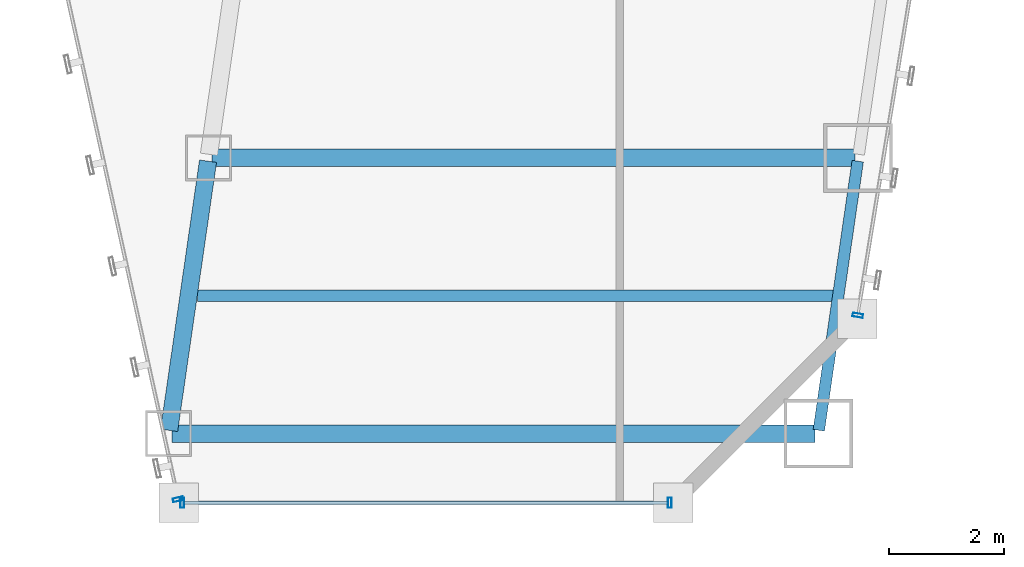
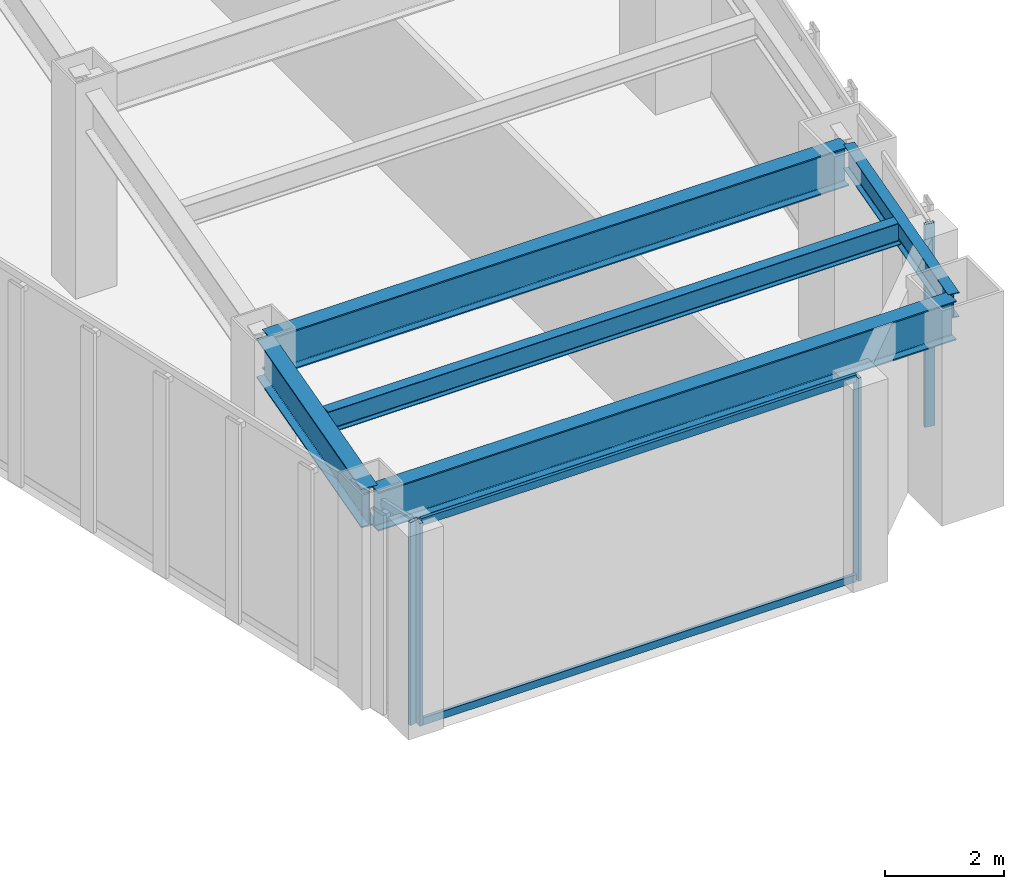
# One storey, part 15 of 47: 6 members, 5 beams, 3 elements without a shape of their own.
"""IFC4 building model written with IfcOpenShell, lengths in metres."""

import ifcopenshell
import ifcopenshell.guid

model = None  # the IFC model being written
_history = None  # IfcOwnerHistory: only IFC2X3 demands one
_inside = {}  # id of a spatial element -> (the spatial element, [elements in it])
_under = {}  # id of a project, library or spatial element -> (it, [spatial elements below it])
_declared = {}  # id of a project -> (the project, [libraries it declares])
_typed = {}  # id of a type object -> (the type object, [elements of that type])
_made_of = {}  # id of a material, layer set ... -> (it, [elements and type objects made of it])


def new_model(schema):
    """Start an empty IFC model of exactly this schema.

    Asked for "IFC4X3", IfcOpenShell would pick the latest addendum, in which some entities
    have other attributes; the version numbers below select the first issue.
    IFC2X3 requires an IfcOwnerHistory on every rooted entity: one is made here for all.
    """
    global model, _history
    if schema == "IFC4X3":
        model = ifcopenshell.file(schema_version=(4, 3, 0, 0))
    else:
        model = ifcopenshell.file(schema=schema)
    _inside.clear()
    _under.clear()
    _declared.clear()
    _typed.clear()
    _made_of.clear()
    _history = None
    if model.schema == "IFC2X3":
        org = make("IfcOrganization", Name="unknown")
        user = make(
            "IfcPersonAndOrganization",
            ThePerson=make("IfcPerson", FamilyName="unknown"),
            TheOrganization=org,
        )
        app = make(
            "IfcApplication",
            ApplicationDeveloper=org,
            Version="unknown",
            ApplicationFullName="unknown",
            ApplicationIdentifier="unknown",
        )
        _history = make(
            "IfcOwnerHistory",
            OwningUser=user,
            OwningApplication=app,
            ChangeAction="ADDED",
            CreationDate=0,
        )
    return model


def make(cls, **values):
    """One entity of the class cls with the attributes given. An attribute that is None is left unset."""
    return model.create_entity(
        cls, **{name: value for name, value in values.items() if value is not None}
    )


def rooted(cls, **values):
    """An entity with a GlobalId (a new one), such as an element, a storey or a relation."""
    return make(cls, GlobalId=ifcopenshell.guid.new(), OwnerHistory=_history, **values)


def si_unit(unit_type, name, prefix=None):
    """IfcSIUnit, for example si_unit("LENGTHUNIT", "METRE", prefix="MILLI")."""
    return make("IfcSIUnit", UnitType=unit_type, Prefix=prefix, Name=name)


def assignment(units):
    """IfcUnitAssignment: the units of a project."""
    return None if units is None else make("IfcUnitAssignment", Units=units)


def point(xyz):
    """IfcCartesianPoint."""
    return None if xyz is None else make("IfcCartesianPoint", Coordinates=xyz)


def direction(xyz):
    """IfcDirection."""
    return None if xyz is None else make("IfcDirection", DirectionRatios=xyz)


def frame(location, z_axis=None, x_axis=None):
    """IfcAxis2Placement3D, a coordinate frame: its origin and axes. An axis left out is left unset."""
    return make(
        "IfcAxis2Placement3D",
        Location=point(location),
        Axis=direction(z_axis),
        RefDirection=direction(x_axis),
    )


def frame_2d(location, x_axis=None):
    """IfcAxis2Placement2D, a coordinate frame in the plane: its origin and x axis."""
    return make(
        "IfcAxis2Placement2D", Location=point(location), RefDirection=direction(x_axis)
    )


def origin():
    """The frame at (0, 0, 0) with its axes left unset."""
    return frame((0.0, 0.0, 0.0))


def origin_2d():
    """The frame at (0, 0) in the plane with its x axis left unset."""
    return frame_2d((0.0, 0.0))


def place(relative_to, where):
    """IfcLocalPlacement: puts the frame where relative to a parent placement (None: the world)."""
    return make(
        "IfcLocalPlacement", PlacementRelTo=relative_to, RelativePlacement=where
    )


def context(
    kind, dimensions, precision=None, world=None, true_north=None, identifier=None
):
    """IfcGeometricRepresentationContext, for example the 3D "Model" context."""
    return make(
        "IfcGeometricRepresentationContext",
        ContextIdentifier=identifier,
        ContextType=kind,
        CoordinateSpaceDimension=dimensions,
        Precision=precision,
        WorldCoordinateSystem=world,
        TrueNorth=true_north,
    )


def subcontext(parent, identifier, kind, view, scale=None):
    """IfcGeometricRepresentationSubContext, for example "Body" below "Model"."""
    return make(
        "IfcGeometricRepresentationSubContext",
        ContextIdentifier=identifier,
        ContextType=kind,
        ParentContext=parent,
        TargetScale=scale,
        TargetView=view,
    )


def project(units=None, contexts=None):
    """IfcProject with its units and contexts."""
    return rooted(
        "IfcProject",
        Name="project",
        RepresentationContexts=contexts,
        UnitsInContext=assignment(units),
    )


def spatial(cls, under=None, at=None, **own):
    """A site, building, storey or space (cls), placed at a placement, below another one or the project."""
    s = rooted(cls, ObjectPlacement=at, **own)
    if under is not None:
        _under.setdefault(under.id(), (under, []))[1].append(s)
    return s


def profile(cls, at=None, kind="AREA", **sizes):
    """A parametric profile (cls). Its sizes go by their IFC names, for example OverallWidth=200.0."""
    return make(cls, ProfileType=kind, Position=at, **sizes)


def hollow_rectangle(**sizes):
    """IfcRectangleHollowProfileDef."""
    return profile("IfcRectangleHollowProfileDef", **sizes)


def i_section(**sizes):
    """IfcIShapeProfileDef."""
    return profile("IfcIShapeProfileDef", **sizes)


def extrude(swept, where, along, depth):
    """IfcExtrudedAreaSolid: the profile swept, set in the frame where, extruded along a direction by depth."""
    return make(
        "IfcExtrudedAreaSolid",
        SweptArea=swept,
        Position=where,
        ExtrudedDirection=direction(along),
        Depth=depth,
    )


def shape(context_of_items, identifier, shape_type, items):
    """IfcShapeRepresentation: the items that make up one representation, for example the "Body"."""
    return make(
        "IfcShapeRepresentation",
        ContextOfItems=context_of_items,
        RepresentationIdentifier=identifier,
        RepresentationType=shape_type,
        Items=items,
    )


def material(Name=None, Category=None):
    """IfcMaterial."""
    return make("IfcMaterial", Name=Name, Category=Category)


def material_profile(
    of_material, cross_section, Name=None, Category=None, Priority=None
):
    """IfcMaterialProfile: a cross section and its material."""
    return make(
        "IfcMaterialProfile",
        Name=Name,
        Material=of_material,
        Profile=cross_section,
        Priority=Priority,
        Category=Category,
    )


def profile_set(profiles, Name=None, composite=None):
    """IfcMaterialProfileSet."""
    return make(
        "IfcMaterialProfileSet",
        Name=Name,
        MaterialProfiles=profiles,
        CompositeProfile=composite,
    )


def made_of(thing, what):
    """Note that an element or type object is made of a material, layer set ...; save() writes the relation."""
    if what is not None:
        _made_of.setdefault(what.id(), (what, []))[1].append(thing)
    return thing


def type_object(cls, material=None, **own):
    """A type object (cls), such as IfcWallType, which elements share."""
    return made_of(rooted(cls, **own), material)


def element(
    cls,
    number,
    at=None,
    inside=None,
    cuts=None,
    type_object=None,
    material=None,
    context=None,
    identifier="Body",
    shape_type=None,
    held_by="IfcProductDefinitionShape",
    body=None,
    shapes=None,
    **own,
):
    """One element of the class cls, such as IfcWall. Its Tag is "e" and its number.

    at: its placement. inside: the storey or other place that contains it. cuts: it is an
    opening in that element (IfcRelVoidsElement). A single representation is given by context,
    identifier, shape_type and body (its items); several are given by shapes. held_by: the class
    of the entity that holds the representations. save() writes the other relations.
    """
    e = rooted(cls, Tag="e%d" % number, ObjectPlacement=at, **own)
    if body is not None:
        shapes = [shape(context, identifier, shape_type, body)]
    if shapes is not None:
        e.Representation = make(held_by, Representations=shapes)
    if inside is not None:
        _inside.setdefault(inside.id(), (inside, []))[1].append(e)
    if cuts is not None:
        rooted(
            "IfcRelVoidsElement", RelatingBuildingElement=cuts, RelatedOpeningElement=e
        )
    if type_object is not None:
        _typed.setdefault(type_object.id(), (type_object, []))[1].append(e)
    return made_of(e, material)


def aggregate(whole, parts):
    """IfcRelAggregates: a whole, such as a stair, and the parts it consists of."""
    return rooted("IfcRelAggregates", RelatingObject=whole, RelatedObjects=parts)


def save(model, path):
    """Write the relations noted so far, then the file.

    IfcRelAggregates (storeys below a building ...), IfcRelContainedInSpatialStructure (elements
    in a storey), IfcRelDefinesByType, IfcRelAssociatesMaterial and IfcRelDeclares: one each for
    every whole, place, type object, material and project.
    """
    for whole, parts in _under.values():
        aggregate(whole, parts)
    for where, things in _inside.values():
        rooted(
            "IfcRelContainedInSpatialStructure",
            RelatedElements=things,
            RelatingStructure=where,
        )
    for kind, things in _typed.values():
        rooted("IfcRelDefinesByType", RelatedObjects=things, RelatingType=kind)
    for what, things in _made_of.values():
        rooted("IfcRelAssociatesMaterial", RelatedObjects=things, RelatingMaterial=what)
    for by, libraries in _declared.values():
        rooted("IfcRelDeclares", RelatingContext=by, RelatedDefinitions=libraries)
    model.write(path)


model = new_model("IFC4")

# Units and contexts
model_context = context("Model", 3, precision=1e-05, world=origin(), true_north=direction((0.0, 1.0)))
body_context = subcontext(model_context, "Body", "Model", "MODEL_VIEW")
ifc_project = project(units=[si_unit("LENGTHUNIT", "METRE"), si_unit("AREAUNIT", "SQUARE_METRE"), si_unit("VOLUMEUNIT", "CUBIC_METRE"), si_unit("PLANEANGLEUNIT", "RADIAN"), si_unit("MASSUNIT", "GRAM", prefix="KILO")], contexts=[model_context])

# Site, building, storey
site_placement = place(None, origin())
site = spatial("IfcSite", under=ifc_project, at=site_placement, CompositionType="ELEMENT")
building_placement = place(site_placement, origin())
building = spatial("IfcBuilding", under=site, at=building_placement, Name="Saevonmaru Cultural Tower", CompositionType="ELEMENT")
storey_placement = place(building_placement, frame((0.0, 0.0, 47.199951171875)))
storey = spatial("IfcBuildingStorey", under=building, at=storey_placement, Name="L09", CompositionType="ELEMENT", Elevation=47.199951171875)

# Beams
ifc_material_1 = material(Name="Steel SM420", Category="steel")
ifc_material_profile_1 = material_profile(ifc_material_1, i_section(OverallWidth=0.300048828125, OverallDepth=0.800048828125, WebThickness=0.013916015625, FlangeThickness=0.02587890625, FilletRadius=0.028076171875, at=origin_2d()), Name="H-800x300x14x26")
ifc_profile_set_1 = profile_set([ifc_material_profile_1], Name="Steel SM420")
beam_type_1 = type_object("IfcBeamType", Name="BM-G-H800", PredefinedType="BEAM", material=ifc_profile_set_1)
beam_1_placement = place(storey_placement, frame((36.231689453125, 3.259521484375, 3.75), z_axis=(0.143083234893, 0.989710658674, 0.0), x_axis=(-0.989710658674, 0.143083234893, 0.0)))
element("IfcBeam", 1, at=beam_1_placement, inside=storey, type_object=beam_type_1, Name="L09 East Atrium Girder 1", PredefinedType="BEAM", context=body_context, shape_type="SweptSolid", body=[
    extrude(i_section(OverallWidth=0.300048828125, OverallDepth=0.800048828125, WebThickness=0.013916015625, FlangeThickness=0.02587890625, FilletRadius=0.028076171875, at=origin_2d()), origin(), (0.0, 0.0, 1.0), 4.729736328125),
])
for number, where, z_axis, x_axis, name in (
    (2, (36.282958984375, 3.199951171875, 3.75), (1.0, 0.0, 0.0), (0.0, 1.0, 0.0), "L09 East Wing Transverse Girder 1"),
    (3, (36.97705078125, 8.0, 3.75), (1.0, 0.0, 0.0), (0.0, 1.0, 0.0), "L09 East Wing Transverse Girder 2"),
):
    element("IfcBeam", number, at=place(storey_placement, frame(where, z_axis=z_axis, x_axis=x_axis)), inside=storey, type_object=beam_type_1, Name=name, PredefinedType="BEAM", context=body_context, shape_type="SweptSolid", body=[
        extrude(i_section(OverallWidth=0.300048828125, OverallDepth=0.800048828125, WebThickness=0.013916015625, FlangeThickness=0.02587890625, FilletRadius=0.028076171875, at=origin_2d()), origin(), (0.0, 0.0, 1.0), 11.179931640625),
    ])
ifc_material_2 = material(Name="Steel SM355", Category="steel")
ifc_material_profile_2 = material_profile(ifc_material_2, i_section(OverallWidth=0.199951171875, OverallDepth=0.449951171875, WebThickness=0.009033203125, FlangeThickness=0.013916015625, FilletRadius=0.01806640625, at=origin_2d()), Name="H-450x200x9x14")
ifc_profile_set_2 = profile_set([ifc_material_profile_2], Name="Steel SM355")
beam_type_2 = type_object("IfcBeamType", Name="BM-J-H450", PredefinedType="JOIST", material=ifc_profile_set_2)
beam_2_placement = place(storey_placement, frame((36.72802734375, 5.60009765625, 3.925048828125), z_axis=(1.0, 0.0, 0.0), x_axis=(0.0, 1.0, 0.0)))
element("IfcBeam", 4, at=beam_2_placement, inside=storey, type_object=beam_type_2, Name="L09 East Wing Floor Joist 1", PredefinedType="JOIST", context=body_context, shape_type="SweptSolid", body=[
    extrude(i_section(OverallWidth=0.199951171875, OverallDepth=0.449951171875, WebThickness=0.009033203125, FlangeThickness=0.013916015625, FilletRadius=0.01806640625, at=origin_2d()), origin(), (0.0, 0.0, 1.0), 11.08203125),
])
ifc_material_profile_3 = material_profile(ifc_material_2, i_section(OverallWidth=0.199951171875, OverallDepth=0.5, WebThickness=0.010009765625, FlangeThickness=0.01611328125, FilletRadius=0.02001953125, at=origin_2d()), Name="H-500x200x10x16")
ifc_profile_set_3 = profile_set([ifc_material_profile_3], Name="Steel SM355")
beam_type_3 = type_object("IfcBeamType", Name="BM-SP-H500", PredefinedType="SPANDREL", material=ifc_profile_set_3)
beam_3_placement = place(storey_placement, frame((47.531494140625, 3.259521484375, 3.900146484375), z_axis=(0.14313379491, 0.989703347855, 0.0), x_axis=(-0.989703347855, 0.14313379491, 0.0)))
element("IfcBeam", 5, at=beam_3_placement, inside=storey, type_object=beam_type_3, Name="L09 East Splayed Spandrel 1", PredefinedType="SPANDREL", context=body_context, shape_type="SweptSolid", body=[
    extrude(i_section(OverallWidth=0.199951171875, OverallDepth=0.5, WebThickness=0.010009765625, FlangeThickness=0.01611328125, FilletRadius=0.02001953125, at=origin_2d()), origin(), (0.0, 0.0, 1.0), 4.729736328125),
])

# Curtain wall, member
ifc_material_3 = material(Name="Satin Bronze Anodised Aluminium", Category="aluminium")
curtain_wall_type = type_object("IfcCurtainWallType", Name="CW-TYP-A", PredefinedType="NOTDEFINED", material=ifc_material_3)
curtain_wall_1_placement = place(storey_placement, origin())
curtain_wall_1 = element("IfcCurtainWall", 6, at=curtain_wall_1_placement, inside=storey, type_object=curtain_wall_type, Name="L09 Unitised Curtain Wall E5", PredefinedType="NOTDEFINED")
ifc_material_profile_4 = material_profile(ifc_material_3, hollow_rectangle(XDim=0.06494140625, YDim=0.179931640625, WallThickness=0.00390625, at=origin_2d()), Name="ALU-MULL-180x65x4")
ifc_profile_set_4 = profile_set([ifc_material_profile_4], Name="Satin Bronze Anodised Aluminium")
member_type_1 = type_object("IfcMemberType", Name="ML-CW-180x65", PredefinedType="MULLION", material=ifc_profile_set_4)
member_1_placement = place(storey_placement, frame((36.38720703125, 2.05859375, 0.0), z_axis=(0.0, 0.0, 1.0), x_axis=(0.215413319953, -0.976522965212, 0.0)))
member_1 = element("IfcMember", 7, at=member_1_placement, type_object=member_type_1, Name="CW-TW-L09-E5 mullion 2", PredefinedType="MULLION", context=body_context, shape_type="SweptSolid", body=[
    extrude(hollow_rectangle(XDim=0.06494140625, YDim=0.179931640625, WallThickness=0.00390625, at=origin_2d()), origin(), (0.0, 0.0, 1.0), 4.150146484375),
])
aggregate(curtain_wall_1, [member_1])

# Curtain wall, members
curtain_wall_2_placement = place(storey_placement, origin())
curtain_wall_2 = element("IfcCurtainWall", 8, at=curtain_wall_2_placement, inside=storey, type_object=curtain_wall_type, Name="L09 Unitised Curtain Wall E6", PredefinedType="NOTDEFINED")
member_2_placement = place(storey_placement, frame((36.4599609375, 2.0, 0.0), z_axis=(0.0, 0.0, 1.0), x_axis=(1.0, 0.0, 0.0)))
member_2 = element("IfcMember", 9, at=member_2_placement, type_object=member_type_1, Name="CW-TW-L09-E6 mullion 1", PredefinedType="MULLION", context=body_context, shape_type="SweptSolid", body=[
    extrude(hollow_rectangle(XDim=0.06494140625, YDim=0.179931640625, WallThickness=0.00390625, at=origin_2d()), origin(), (0.0, 0.0, 1.0), 4.150146484375),
])
member_3_placement = place(storey_placement, frame((44.93994140625, 2.0, 0.0), z_axis=(0.0, 0.0, 1.0), x_axis=(1.0, 0.0, 0.0)))
member_3 = element("IfcMember", 10, at=member_3_placement, type_object=member_type_1, Name="CW-TW-L09-E6 mullion 2", PredefinedType="MULLION", context=body_context, shape_type="SweptSolid", body=[
    extrude(hollow_rectangle(XDim=0.06494140625, YDim=0.179931640625, WallThickness=0.00390625, at=origin_2d()), origin(), (0.0, 0.0, 1.0), 4.150146484375),
])

# Curtain wall, member
curtain_wall_3_placement = place(storey_placement, origin())
curtain_wall_3 = element("IfcCurtainWall", 11, at=curtain_wall_3_placement, inside=storey, type_object=curtain_wall_type, Name="L09 Unitised Curtain Wall E8", PredefinedType="NOTDEFINED")
member_4_placement = place(storey_placement, frame((48.209716796875, 5.25927734375, 0.0), z_axis=(0.0, 0.0, 1.0), x_axis=(0.161708868641, 0.986838508472, 0.0)))
member_4 = element("IfcMember", 12, at=member_4_placement, type_object=member_type_1, Name="CW-TW-L09-E8 mullion 1", PredefinedType="MULLION", context=body_context, shape_type="SweptSolid", body=[
    extrude(hollow_rectangle(XDim=0.06494140625, YDim=0.179931640625, WallThickness=0.00390625, at=origin_2d()), origin(), (0.0, 0.0, 1.0), 4.150146484375),
])
aggregate(curtain_wall_3, [member_4])

# Member
ifc_material_profile_5 = material_profile(ifc_material_3, hollow_rectangle(XDim=0.06494140625, YDim=0.14990234375, WallThickness=0.00390625, at=origin_2d()), Name="ALU-TRAN-150x65x4")
ifc_profile_set_5 = profile_set([ifc_material_profile_5], Name="Satin Bronze Anodised Aluminium")
member_type_2 = type_object("IfcMemberType", Name="TR-CW-150x65", PredefinedType="USERDEFINED", material=ifc_profile_set_5)
member_5_placement = place(storey_placement, frame((36.492431640625, 2.0, 0.032470703125), z_axis=(1.0, 0.0, 0.0), x_axis=(0.0, 1.0, 0.0)))
member_5 = element("IfcMember", 13, at=member_5_placement, type_object=member_type_2, Name="CW-TW-L09-E6 transom 1.1", ObjectType="TRANSOM", PredefinedType="USERDEFINED", context=body_context, shape_type="SweptSolid", body=[
    extrude(hollow_rectangle(XDim=0.06494140625, YDim=0.14990234375, WallThickness=0.00390625, at=origin_2d()), origin(), (0.0, 0.0, 1.0), 8.4150390625),
])

member_6_placement = place(storey_placement, frame((36.492431640625, 2.0, 4.117431640625), z_axis=(1.0, 0.0, 0.0), x_axis=(0.0, 1.0, 0.0)))
member_6 = element("IfcMember", 14, at=member_6_placement, type_object=member_type_2, Name="CW-TW-L09-E6 transom 1.2", ObjectType="TRANSOM", PredefinedType="USERDEFINED", context=body_context, shape_type="SweptSolid", body=[
    extrude(hollow_rectangle(XDim=0.06494140625, YDim=0.14990234375, WallThickness=0.00390625, at=origin_2d()), origin(), (0.0, 0.0, 1.0), 8.4150390625),
])

aggregate(curtain_wall_2, [member_2, member_3, member_5, member_6])

save(model, "model.ifc")
